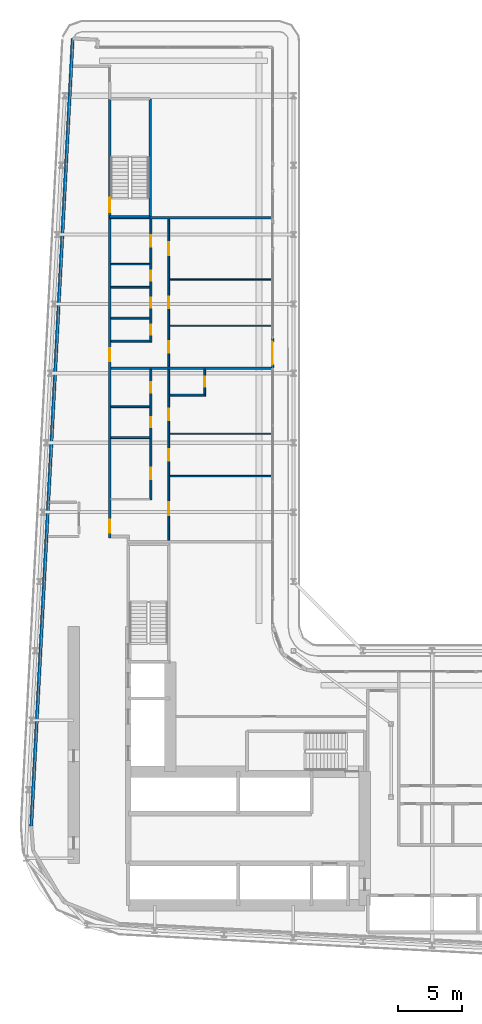
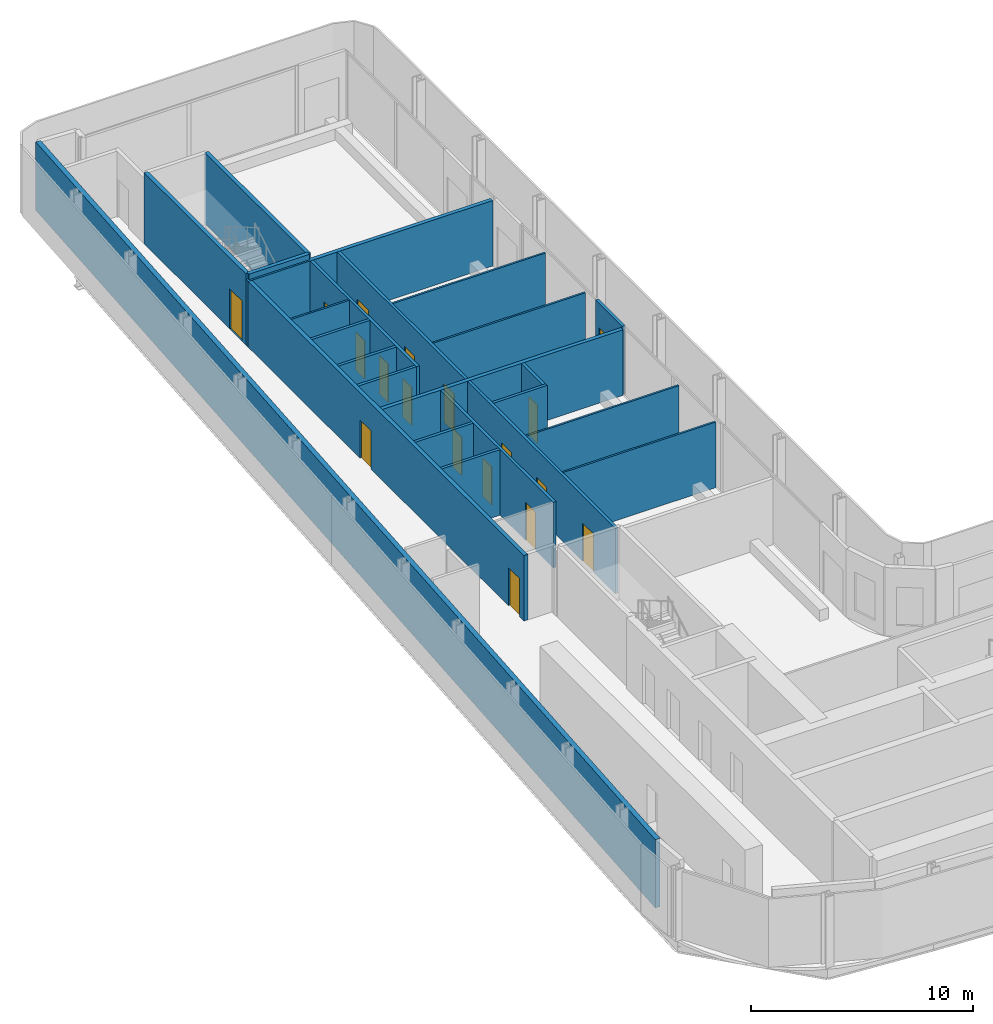
# One storey, part 16 of 26: 24 walls, 18 doors, 18 openings.
"""IFC4 building model written with IfcOpenShell, lengths in metres."""

from ifc_helpers import new_model, si_unit, direction, frame, frame_2d, origin, place, context, subcontext, project, spatial, rectangle, extrude, source, transform, mapped, material, layer, layer_set, type_object, element, fill, save


model = new_model("IFC4")

# Units and contexts
model_context = context("Model", 3, precision=1e-05, world=origin(), true_north=direction((0.0, 1.0)))
body_context = subcontext(model_context, "Body", "Model", "MODEL_VIEW")
ifc_project = project(units=[si_unit("LENGTHUNIT", "METRE"), si_unit("AREAUNIT", "SQUARE_METRE"), si_unit("VOLUMEUNIT", "CUBIC_METRE"), si_unit("PLANEANGLEUNIT", "RADIAN"), si_unit("MASSUNIT", "GRAM", prefix="KILO")], contexts=[model_context])

# Site, building, storey
site_placement = place(None, origin())
site = spatial("IfcSite", under=ifc_project, at=site_placement, CompositionType="ELEMENT")
building_placement = place(site_placement, origin())
building = spatial("IfcBuilding", under=site, at=building_placement, Name="Kheshtan School and Residences Tower", CompositionType="ELEMENT")
storey_placement = place(building_placement, frame((0.0, 0.0, 105.800048828125)))
storey = spatial("IfcBuildingStorey", under=building, at=storey_placement, Name="L24", CompositionType="ELEMENT", Elevation=105.800048828125)

# Wall, openings, doors
ifc_material_1 = material(Name="Gypsum board on steel studs with fire boards", Category="steel")
ifc_layer_1 = layer(ifc_material_1, 0.199951171875)
ifc_layer_set_1 = layer_set([ifc_layer_1], Name="Corridor wall 200")
wall_type_1 = type_object("IfcWallType", Name="Corridor wall 200", PredefinedType="PARTITIONING", material=ifc_layer_set_1)
wall_1_placement = place(storey_placement, frame((33.300048828125, 54.39990234375, 0.0), z_axis=(0.0, 0.0, 1.0), x_axis=(0.0, 1.0, 0.0)))
wall_1 = element("IfcWall", 1, at=wall_1_placement, inside=storey, type_object=wall_type_1, Name="Partition L24-003", PredefinedType="PARTITIONING", context=body_context, shape_type="SweptSolid", body=[
    extrude(rectangle(XDim=24.800048828125, YDim=0.199951171875, at=frame_2d((12.39990234375, 0.0))), origin(), (0.0, 0.0, 1.0), 3.599853515625),
])
opening_1_placement = place(wall_1_placement, frame((0.39990234375, 0.0, 0.0)))
opening_1 = element("IfcOpeningElement", 2, at=opening_1_placement, cuts=wall_1, Name="Opening D23-034", PredefinedType="OPENING", context=body_context, shape_type="SweptSolid", body=[
    extrude(rectangle(XDim=1.0, YDim=2.10009765625, at=frame_2d((0.5, 1.050048828125))), frame((0.0, 0.10986328125, 0.0), z_axis=(0.0, -1.0, 0.0), x_axis=(1.0, 0.0, 0.0)), (0.0, 0.0, 1.0), 0.219970703125),
])
opening_2_placement = place(wall_1_placement, frame((13.75, 0.0, 0.0)))
opening_2 = element("IfcOpeningElement", 3, at=opening_2_placement, cuts=wall_1, Name="Opening D23-041", PredefinedType="OPENING", context=body_context, shape_type="SweptSolid", body=[
    extrude(rectangle(XDim=1.0, YDim=2.10009765625, at=frame_2d((0.5, 1.050048828125))), frame((0.0, 0.10986328125, 0.0), z_axis=(0.0, -1.0, 0.0), x_axis=(1.0, 0.0, 0.0)), (0.0, 0.0, 1.0), 0.219970703125),
])
ifc_material_2 = material(Name="Steel-framed fire-resisting door leaf", Category="steel")
door_type_1 = type_object("IfcDoorType", Name="Fire door FD30S 1000 x 2100", OperationType="SINGLE_SWING_LEFT", PredefinedType="DOOR", material=ifc_material_2)
shared_shape_1 = source(origin(), body_context, "Body", "SweptSolid", [
    extrude(rectangle(XDim=1.0, YDim=2.10009765625, at=frame_2d((0.5, 1.050048828125))), frame((0.0, 0.02490234375, 0.0), z_axis=(0.0, -1.0, 0.0), x_axis=(1.0, 0.0, 0.0)), (0.0, 0.0, 1.0), 0.050048828125),
])
door_1_placement = place(opening_1_placement, origin())
door_1 = element("IfcDoor", 4, at=door_1_placement, inside=storey, type_object=door_type_1, Name="Door D23-034", OperationType="SINGLE_SWING_RIGHT", OverallHeight=2.10009765625, OverallWidth=1.0, PredefinedType="DOOR", context=body_context, shape_type="MappedRepresentation", body=[
    mapped(shared_shape_1, transform((0.0, 0.0, 0.0), x_axis=(1.0, 0.0, 0.0), y_axis=(0.0, 1.0, 0.0), z_axis=(0.0, 0.0, 1.0), scale=1.0)),
])
fill(opening_1, door_1)
door_2_placement = place(opening_2_placement, origin())
door_2 = element("IfcDoor", 5, at=door_2_placement, inside=storey, type_object=door_type_1, Name="Door D23-041", OperationType="SINGLE_SWING_LEFT", OverallHeight=2.10009765625, OverallWidth=1.0, PredefinedType="DOOR", context=body_context, shape_type="MappedRepresentation", body=[
    mapped(shared_shape_1, transform((0.0, 0.0, 0.0), x_axis=(1.0, 0.0, 0.0), y_axis=(0.0, 1.0, 0.0), z_axis=(0.0, 0.0, 1.0), scale=1.0)),
])
fill(opening_2, door_2)

# Wall
ifc_material_3 = material(Name="Concrete C40/50 with ceramic cladding and mineral wool insulation", Category="concrete")
ifc_layer_2 = layer(ifc_material_3, 0.25)
ifc_layer_set_2 = layer_set([ifc_layer_2], Name="External wall 250 ceramic clad")
wall_type_2 = type_object("IfcWallType", Name="External wall 250 ceramic clad", PredefinedType="SOLIDWALL", material=ifc_layer_set_2)
wall_2_placement = place(storey_placement, frame((27.195068359375, 31.968994140625, 0.0), z_axis=(0.0, 0.0, 1.0), x_axis=(0.052555284099, 0.998618016117, 0.0)))
element("IfcWall", 6, at=wall_2_placement, inside=storey, type_object=wall_type_2, Name="External wall L24 16", PredefinedType="SOLIDWALL", context=body_context, shape_type="SweptSolid", body=[
    extrude(rectangle(XDim=61.379638671875, YDim=0.25, at=frame_2d((30.68994140625, 0.0))), origin(), (0.0, 0.0, 1.0), 3.75),
])

# Wall, opening, door
ifc_material_4 = material(Name="Aluminium frame wall with insulated infill", Category="aluminium")
ifc_layer_3 = layer(ifc_material_4, 0.14990234375)
ifc_layer_set_3 = layer_set([ifc_layer_3], Name="Glazing frame wall 150")
wall_type_3 = type_object("IfcWallType", Name="Glazing frame wall 150", PredefinedType="SOLIDWALL", material=ifc_layer_set_3)
wall_3_placement = place(storey_placement, frame((45.97509765625, 69.965087890625, 0.0), z_axis=(0.0, 0.0, 1.0), x_axis=(0.0, -1.0, 0.0)))
wall_3 = element("IfcWall", 7, at=wall_3_placement, inside=storey, type_object=wall_type_3, Name="Balcony door wall L24 4.3", PredefinedType="SOLIDWALL", context=body_context, shape_type="SweptSolid", body=[
    extrude(rectangle(XDim=2.400146484375, YDim=0.14990234375, at=frame_2d((1.2001953125, 0.0))), origin(), (0.0, 0.0, 1.0), 3.75),
])
opening_3_placement = place(wall_3_placement, frame((0.300048828125, 0.0, 0.0)))
opening_3 = element("IfcOpeningElement", 8, at=opening_3_placement, cuts=wall_3, Name="Opening BD", PredefinedType="OPENING", context=body_context, shape_type="SweptSolid", body=[
    extrude(rectangle(XDim=1.800048828125, YDim=2.39990234375, at=frame_2d((0.89990234375, 1.199951171875))), frame((0.0, 0.0849609375, 0.0), z_axis=(0.0, -1.0, 0.0), x_axis=(1.0, 0.0, 0.0)), (0.0, 0.0, 1.0), 0.169921875),
])
ifc_material_5 = material(Name="Clear low-e glass in thermally broken aluminium frame", Category="aluminium")
door_type_2 = type_object("IfcDoorType", Name="Balcony sliding door", OperationType="SLIDING_TO_LEFT", PredefinedType="DOOR", material=ifc_material_5)
shared_shape_2 = source(origin(), body_context, "Body", "SweptSolid", [
    extrude(rectangle(XDim=1.800048828125, YDim=2.39990234375, at=frame_2d((0.89990234375, 1.199951171875))), frame((0.0, 0.02490234375, 0.0), z_axis=(0.0, -1.0, 0.0), x_axis=(1.0, 0.0, 0.0)), (0.0, 0.0, 1.0), 0.050048828125),
])
door_3_placement = place(opening_3_placement, origin())
door_3 = element("IfcDoor", 9, at=door_3_placement, inside=storey, type_object=door_type_2, Name="Balcony door L24 4.3", OperationType="SLIDING_TO_LEFT", OverallHeight=2.39990234375, OverallWidth=1.800048828125, PredefinedType="DOOR", context=body_context, shape_type="MappedRepresentation", body=[
    mapped(shared_shape_2, transform((0.0, 0.0, 0.0), x_axis=(1.0, 0.0, 0.0), y_axis=(0.0, 1.0, 0.0), z_axis=(0.0, 0.0, 1.0), scale=1.0)),
])
fill(opening_3, door_3)

# Walls
ifc_material_6 = material(Name="Gypsum board on steel studs", Category="steel")
ifc_layer_4 = layer(ifc_material_6, 0.10009765625)
ifc_layer_set_4 = layer_set([ifc_layer_4], Name="Gypsum partition 100")
wall_type_4 = type_object("IfcWallType", Name="Gypsum partition 100", PredefinedType="PARTITIONING", material=ifc_layer_set_4)
wall_4_placement = place(storey_placement, frame((33.39990234375, 75.699951171875, 0.0), z_axis=(0.0, 0.0, 1.0), x_axis=(1.0, 0.0, 0.0)))
element("IfcWall", 10, at=wall_4_placement, inside=storey, type_object=wall_type_4, Name="Partition L24-013", PredefinedType="PARTITIONING", context=body_context, shape_type="SweptSolid", body=[
    extrude(rectangle(XDim=3.025146484375, YDim=0.10009765625, at=frame_2d((1.5126953125, 0.0))), origin(), (0.0, 0.0, 1.0), 3.599853515625),
])
for number, where, z_axis, x_axis, name in (
    (11, (37.97509765625, 59.199951171875, 0.0), (0.0, 0.0, 1.0), (1.0, 0.0, 0.0), "Partition L24-020"),
    (12, (37.97509765625, 62.5, 0.0), (0.0, 0.0, 1.0), (1.0, 0.0, 0.0), "Partition L24-021"),
    (13, (37.97509765625, 70.89990234375, 0.0), (0.0, 0.0, 1.0), (1.0, 0.0, 0.0), "Partition L24-023"),
    (14, (37.97509765625, 74.5, 0.0), (0.0, 0.0, 1.0), (1.0, 0.0, 0.0), "Partition L24-024"),
):
    element("IfcWall", number, at=place(storey_placement, frame(where, z_axis=z_axis, x_axis=x_axis)), inside=storey, type_object=wall_type_4, Name=name, PredefinedType="PARTITIONING", context=body_context, shape_type="SweptSolid", body=[
        extrude(rectangle(XDim=7.9248046875, YDim=0.10009765625, at=frame_2d((3.96240234375, 0.0))), origin(), (0.0, 0.0, 1.0), 3.599853515625),
    ])
ifc_material_7 = material(Name="Concrete C40/50", Category="concrete")
ifc_layer_5 = layer(ifc_material_7, 0.199951171875)
ifc_layer_set_5 = layer_set([ifc_layer_5], Name="Stair enclosure wall 200 Concrete C40/50")
wall_type_5 = type_object("IfcWallType", Name="Stair enclosure wall 200 Concrete C40/50", PredefinedType="SHEAR", material=ifc_layer_set_5)
wall_5_placement = place(storey_placement, frame((33.300048828125, 79.39990234375, 0.0), z_axis=(0.0, 0.0, 1.0), x_axis=(1.0, 0.0, 0.0)))
element("IfcWall", 15, at=wall_5_placement, inside=storey, type_object=wall_type_5, Name="Stair enclosure wall ST3", PredefinedType="SHEAR", context=body_context, shape_type="SweptSolid", body=[
    extrude(rectangle(XDim=3.14990234375, YDim=0.199951171875, at=frame_2d((1.574951171875, 0.0))), origin(), (0.0, 0.0, 1.0), 3.89990234375),
])

# Wall, opening, door
wall_6_placement = place(storey_placement, frame((33.300048828125, 79.39990234375, 0.0), z_axis=(0.0, 0.0, 1.0), x_axis=(0.0, 1.0, 0.0)))
wall_6 = element("IfcWall", 16, at=wall_6_placement, inside=storey, type_object=wall_type_5, Name="Stair enclosure wall ST3", PredefinedType="SHEAR", context=body_context, shape_type="SweptSolid", body=[
    extrude(rectangle(XDim=9.16015625, YDim=0.199951171875, at=frame_2d((4.580078125, 0.0))), origin(), (0.0, 0.0, 1.0), 3.89990234375),
])
opening_4_placement = place(wall_6_placement, frame((0.35009765625, 0.0, 0.0)))
opening_4 = element("IfcOpeningElement", 17, at=opening_4_placement, cuts=wall_6, Name="Opening ST3D", PredefinedType="OPENING", context=body_context, shape_type="SweptSolid", body=[
    extrude(rectangle(XDim=1.10009765625, YDim=2.199951171875, at=frame_2d((0.550048828125, 1.10009765625))), frame((0.0, 0.10986328125, 0.0), z_axis=(0.0, -1.0, 0.0), x_axis=(1.0, 0.0, 0.0)), (0.0, 0.0, 1.0), 0.219970703125),
])
ifc_material_8 = material(Name="Steel door leaf, galvanised", Category="steel")
door_type_3 = type_object("IfcDoorType", Name="Stair door 1100 steel 90 min", OperationType="SINGLE_SWING_LEFT", PredefinedType="DOOR", material=ifc_material_8)
shared_shape_3 = source(origin(), body_context, "Body", "SweptSolid", [
    extrude(rectangle(XDim=1.10009765625, YDim=2.199951171875, at=frame_2d((0.550048828125, 1.10009765625))), frame((0.0, 0.02490234375, 0.0), z_axis=(0.0, -1.0, 0.0), x_axis=(1.0, 0.0, 0.0)), (0.0, 0.0, 1.0), 0.050048828125),
])
door_4_placement = place(opening_4_placement, origin())
door_4 = element("IfcDoor", 18, at=door_4_placement, inside=storey, type_object=door_type_3, Name="Stair ST3 door", OperationType="SINGLE_SWING_RIGHT", OverallHeight=2.199951171875, OverallWidth=1.10009765625, PredefinedType="DOOR", context=body_context, shape_type="MappedRepresentation", body=[
    mapped(shared_shape_3, transform((0.0, 0.0, 0.0), x_axis=(1.0, 0.0, 0.0), y_axis=(0.0, 1.0, 0.0), z_axis=(0.0, 0.0, 1.0), scale=1.0)),
])
fill(opening_4, door_4)

# Walls
wall_7_placement = place(storey_placement, frame((36.449951171875, 79.39990234375, 0.0), z_axis=(0.0, 0.0, 1.0), x_axis=(0.0, 1.0, 0.0)))
element("IfcWall", 19, at=wall_7_placement, inside=storey, type_object=wall_type_5, Name="Stair enclosure wall ST3", PredefinedType="SHEAR", context=body_context, shape_type="SweptSolid", body=[
    extrude(rectangle(XDim=9.16015625, YDim=0.199951171875, at=frame_2d((4.580078125, 0.0))), origin(), (0.0, 0.0, 1.0), 3.89990234375),
])
ifc_material_9 = material(Name="Twin gypsum board on steel studs with mineral wool", Category="steel")
ifc_layer_6 = layer(ifc_material_9, 0.199951171875)
ifc_layer_set_6 = layer_set([ifc_layer_6], Name="Unit demising wall 200")
wall_type_6 = type_object("IfcWallType", Name="Unit demising wall 200", PredefinedType="PARTITIONING", material=ifc_layer_set_6)
wall_8_placement = place(storey_placement, frame((33.199951171875, 79.300048828125, 0.0), z_axis=(0.0, 0.0, 1.0), x_axis=(1.0, 0.0, 0.0)))
element("IfcWall", 20, at=wall_8_placement, inside=storey, type_object=wall_type_6, Name="Partition L24-002", PredefinedType="PARTITIONING", context=body_context, shape_type="SweptSolid", body=[
    extrude(rectangle(XDim=12.699951171875, YDim=0.199951171875, at=frame_2d((6.35009765625, 0.0))), origin(), (0.0, 0.0, 1.0), 3.599853515625),
])
wall_9_placement = place(storey_placement, frame((33.39990234375, 67.60009765625, 0.0), z_axis=(0.0, 0.0, 1.0), x_axis=(1.0, 0.0, 0.0)))
element("IfcWall", 21, at=wall_9_placement, inside=storey, type_object=wall_type_6, Name="Partition L24-009", PredefinedType="PARTITIONING", context=body_context, shape_type="SweptSolid", body=[
    extrude(rectangle(XDim=12.5, YDim=0.199951171875, at=frame_2d((6.25, 0.0))), origin(), (0.0, 0.0, 1.0), 3.599853515625),
])
ifc_material_10 = material(Name="Moisture-resistant gypsum board on steel studs", Category="steel")
ifc_layer_7 = layer(ifc_material_10, 0.14990234375)
ifc_layer_set_7 = layer_set([ifc_layer_7], Name="Wet-room partition 150")
wall_type_7 = type_object("IfcWallType", Name="Wet-room partition 150", PredefinedType="PARTITIONING", material=ifc_layer_set_7)
for number, where, z_axis, x_axis, name in (
    (22, (33.39990234375, 62.199951171875, 0.0), (0.0, 0.0, 1.0), (1.0, 0.0, 0.0), "Partition L24-007"),
    (23, (33.39990234375, 64.60009765625, 0.0), (0.0, 0.0, 1.0), (1.0, 0.0, 0.0), "Partition L24-008"),
    (24, (33.39990234375, 69.699951171875, 0.0), (0.0, 0.0, 1.0), (1.0, 0.0, 0.0), "Partition L24-010"),
    (25, (33.39990234375, 71.5, 0.0), (0.0, 0.0, 1.0), (1.0, 0.0, 0.0), "Partition L24-011"),
    (26, (33.39990234375, 73.89990234375, 0.0), (0.0, 0.0, 1.0), (1.0, 0.0, 0.0), "Partition L24-012"),
):
    element("IfcWall", number, at=place(storey_placement, frame(where, z_axis=z_axis, x_axis=x_axis)), inside=storey, type_object=wall_type_7, Name=name, PredefinedType="PARTITIONING", context=body_context, shape_type="SweptSolid", body=[
        extrude(rectangle(XDim=3.025146484375, YDim=0.14990234375, at=frame_2d((1.5126953125, 0.0))), origin(), (0.0, 0.0, 1.0), 3.599853515625),
    ])

# Wall, openings, doors
wall_10_placement = place(storey_placement, frame((36.5, 57.35009765625, 0.0), z_axis=(0.0, 0.0, 1.0), x_axis=(0.0, 1.0, 0.0)))
wall_10 = element("IfcWall", 27, at=wall_10_placement, inside=storey, type_object=wall_type_7, Name="Partition L24-016", PredefinedType="PARTITIONING", context=body_context, shape_type="SweptSolid", body=[
    extrude(rectangle(XDim=10.14990234375, YDim=0.14990234375, at=frame_2d((5.074951171875, 0.0))), origin(), (0.0, 0.0, 1.0), 3.599853515625),
])
opening_5_placement = place(wall_10_placement, frame((8.35009765625, 0.0, 0.0)))
opening_5 = element("IfcOpeningElement", 28, at=opening_5_placement, cuts=wall_10, Name="Opening D23-031", PredefinedType="OPENING", context=body_context, shape_type="SweptSolid", body=[
    extrude(rectangle(XDim=0.800048828125, YDim=2.10009765625, at=frame_2d((0.39990234375, 1.050048828125))), frame((0.0, 0.0849609375, 0.0), z_axis=(0.0, -1.0, 0.0), x_axis=(1.0, 0.0, 0.0)), (0.0, 0.0, 1.0), 0.169921875),
])
opening_6_placement = place(wall_10_placement, frame((1.60009765625, 0.0, 0.0)))
opening_6 = element("IfcOpeningElement", 29, at=opening_6_placement, cuts=wall_10, Name="Opening D23-035", PredefinedType="OPENING", context=body_context, shape_type="SweptSolid", body=[
    extrude(rectangle(XDim=0.89990234375, YDim=2.10009765625, at=frame_2d((0.449951171875, 1.050048828125))), frame((0.0, 0.0849609375, 0.0), z_axis=(0.0, -1.0, 0.0), x_axis=(1.0, 0.0, 0.0)), (0.0, 0.0, 1.0), 0.169921875),
])
opening_7_placement = place(wall_10_placement, frame((5.64990234375, 0.0, 0.0)))
opening_7 = element("IfcOpeningElement", 30, at=opening_7_placement, cuts=wall_10, Name="Opening D23-038", PredefinedType="OPENING", context=body_context, shape_type="SweptSolid", body=[
    extrude(rectangle(XDim=0.800048828125, YDim=2.10009765625, at=frame_2d((0.39990234375, 1.050048828125))), frame((0.0, 0.0849609375, 0.0), z_axis=(0.0, -1.0, 0.0), x_axis=(1.0, 0.0, 0.0)), (0.0, 0.0, 1.0), 0.169921875),
])
ifc_material_11 = material(Name="Veneered timber door leaf", Category="wood")
door_type_4 = type_object("IfcDoorType", Name="Door 800 x 2100", OperationType="SINGLE_SWING_LEFT", PredefinedType="DOOR", material=ifc_material_11)
shared_shape_4 = source(origin(), body_context, "Body", "SweptSolid", [
    extrude(rectangle(XDim=0.800048828125, YDim=2.10009765625, at=frame_2d((0.39990234375, 1.050048828125))), frame((0.0, 0.02490234375, 0.0), z_axis=(0.0, -1.0, 0.0), x_axis=(1.0, 0.0, 0.0)), (0.0, 0.0, 1.0), 0.050048828125),
])
door_5_placement = place(opening_5_placement, origin())
door_5 = element("IfcDoor", 31, at=door_5_placement, inside=storey, type_object=door_type_4, Name="Door D23-031", OperationType="SINGLE_SWING_RIGHT", OverallHeight=2.10009765625, OverallWidth=0.800048828125, PredefinedType="DOOR", context=body_context, shape_type="MappedRepresentation", body=[
    mapped(shared_shape_4, transform((0.0, 0.0, 0.0), x_axis=(1.0, 0.0, 0.0), y_axis=(0.0, 1.0, 0.0), z_axis=(0.0, 0.0, 1.0), scale=1.0)),
])
fill(opening_5, door_5)
door_6_placement = place(opening_7_placement, origin())
door_6 = element("IfcDoor", 32, at=door_6_placement, inside=storey, type_object=door_type_4, Name="Door D23-038", OperationType="SINGLE_SWING_RIGHT", OverallHeight=2.10009765625, OverallWidth=0.800048828125, PredefinedType="DOOR", context=body_context, shape_type="MappedRepresentation", body=[
    mapped(shared_shape_4, transform((0.0, 0.0, 0.0), x_axis=(1.0, 0.0, 0.0), y_axis=(0.0, 1.0, 0.0), z_axis=(0.0, 0.0, 1.0), scale=1.0)),
])
fill(opening_7, door_6)
door_type_5 = type_object("IfcDoorType", Name="Door 900 x 2100", OperationType="SINGLE_SWING_LEFT", PredefinedType="DOOR", material=ifc_material_11)
shared_shape_5 = source(origin(), body_context, "Body", "SweptSolid", [
    extrude(rectangle(XDim=0.89990234375, YDim=2.10009765625, at=frame_2d((0.449951171875, 1.050048828125))), frame((0.0, 0.02490234375, 0.0), z_axis=(0.0, -1.0, 0.0), x_axis=(1.0, 0.0, 0.0)), (0.0, 0.0, 1.0), 0.050048828125),
])
door_7_placement = place(opening_6_placement, origin())
door_7 = element("IfcDoor", 33, at=door_7_placement, inside=storey, type_object=door_type_5, Name="Door D23-035", OperationType="SINGLE_SWING_RIGHT", OverallHeight=2.10009765625, OverallWidth=0.89990234375, PredefinedType="DOOR", context=body_context, shape_type="MappedRepresentation", body=[
    mapped(shared_shape_5, transform((0.0, 0.0, 0.0), x_axis=(1.0, 0.0, 0.0), y_axis=(0.0, 1.0, 0.0), z_axis=(0.0, 0.0, 1.0), scale=1.0)),
])
fill(opening_6, door_7)

wall_11_placement = place(storey_placement, frame((36.5, 69.625, 0.0), z_axis=(0.0, 0.0, 1.0), x_axis=(0.0, 1.0, 0.0)))
wall_11 = element("IfcWall", 34, at=wall_11_placement, inside=storey, type_object=wall_type_7, Name="Partition L24-017", PredefinedType="PARTITIONING", context=body_context, shape_type="SweptSolid", body=[
    extrude(rectangle(XDim=9.574951171875, YDim=0.14990234375, at=frame_2d((4.78759765625, 0.0))), origin(), (0.0, 0.0, 1.0), 3.599853515625),
])
opening_8_placement = place(wall_11_placement, frame((2.675048828125, 0.0, 0.0)))
opening_8 = element("IfcOpeningElement", 35, at=opening_8_placement, cuts=wall_11, Name="Opening D23-039", PredefinedType="OPENING", context=body_context, shape_type="SweptSolid", body=[
    extrude(rectangle(XDim=0.800048828125, YDim=2.10009765625, at=frame_2d((0.39990234375, 1.050048828125))), frame((0.0, 0.0849609375, 0.0), z_axis=(0.0, -1.0, 0.0), x_axis=(1.0, 0.0, 0.0)), (0.0, 0.0, 1.0), 0.169921875),
])
opening_9_placement = place(wall_11_placement, frame((7.425048828125, 0.0, 0.0)))
opening_9 = element("IfcOpeningElement", 36, at=opening_9_placement, cuts=wall_11, Name="Opening D23-042", PredefinedType="OPENING", context=body_context, shape_type="SweptSolid", body=[
    extrude(rectangle(XDim=0.89990234375, YDim=2.10009765625, at=frame_2d((0.449951171875, 1.050048828125))), frame((0.0, 0.0849609375, 0.0), z_axis=(0.0, -1.0, 0.0), x_axis=(1.0, 0.0, 0.0)), (0.0, 0.0, 1.0), 0.169921875),
])
opening_10_placement = place(wall_11_placement, frame((4.77490234375, 0.0, 0.0)))
opening_10 = element("IfcOpeningElement", 37, at=opening_10_placement, cuts=wall_11, Name="Opening D23-045", PredefinedType="OPENING", context=body_context, shape_type="SweptSolid", body=[
    extrude(rectangle(XDim=0.800048828125, YDim=2.10009765625, at=frame_2d((0.39990234375, 1.050048828125))), frame((0.0, 0.0849609375, 0.0), z_axis=(0.0, -1.0, 0.0), x_axis=(1.0, 0.0, 0.0)), (0.0, 0.0, 1.0), 0.169921875),
])
opening_11_placement = place(wall_11_placement, frame((0.574951171875, 0.0, 0.0)))
opening_11 = element("IfcOpeningElement", 38, at=opening_11_placement, cuts=wall_11, Name="Opening D23-046", PredefinedType="OPENING", context=body_context, shape_type="SweptSolid", body=[
    extrude(rectangle(XDim=0.800048828125, YDim=2.10009765625, at=frame_2d((0.39990234375, 1.050048828125))), frame((0.0, 0.0849609375, 0.0), z_axis=(0.0, -1.0, 0.0), x_axis=(1.0, 0.0, 0.0)), (0.0, 0.0, 1.0), 0.169921875),
])
door_8_placement = place(opening_8_placement, origin())
door_8 = element("IfcDoor", 39, at=door_8_placement, inside=storey, type_object=door_type_4, Name="Door D23-039", OperationType="SINGLE_SWING_LEFT", OverallHeight=2.10009765625, OverallWidth=0.800048828125, PredefinedType="DOOR", context=body_context, shape_type="MappedRepresentation", body=[
    mapped(shared_shape_4, transform((0.0, 0.0, 0.0), x_axis=(1.0, 0.0, 0.0), y_axis=(0.0, 1.0, 0.0), z_axis=(0.0, 0.0, 1.0), scale=1.0)),
])
fill(opening_8, door_8)
door_9_placement = place(opening_10_placement, origin())
door_9 = element("IfcDoor", 40, at=door_9_placement, inside=storey, type_object=door_type_4, Name="Door D23-045", OperationType="SINGLE_SWING_RIGHT", OverallHeight=2.10009765625, OverallWidth=0.800048828125, PredefinedType="DOOR", context=body_context, shape_type="MappedRepresentation", body=[
    mapped(shared_shape_4, transform((0.0, 0.0, 0.0), x_axis=(1.0, 0.0, 0.0), y_axis=(0.0, 1.0, 0.0), z_axis=(0.0, 0.0, 1.0), scale=1.0)),
])
fill(opening_10, door_9)
door_10_placement = place(opening_11_placement, origin())
door_10 = element("IfcDoor", 41, at=door_10_placement, inside=storey, type_object=door_type_4, Name="Door D23-046", OperationType="SINGLE_SWING_RIGHT", OverallHeight=2.10009765625, OverallWidth=0.800048828125, PredefinedType="DOOR", context=body_context, shape_type="MappedRepresentation", body=[
    mapped(shared_shape_4, transform((0.0, 0.0, 0.0), x_axis=(1.0, 0.0, 0.0), y_axis=(0.0, 1.0, 0.0), z_axis=(0.0, 0.0, 1.0), scale=1.0)),
])
fill(opening_11, door_10)
door_11_placement = place(opening_9_placement, origin())
door_11 = element("IfcDoor", 42, at=door_11_placement, inside=storey, type_object=door_type_5, Name="Door D23-042", OperationType="SINGLE_SWING_RIGHT", OverallHeight=2.10009765625, OverallWidth=0.89990234375, PredefinedType="DOOR", context=body_context, shape_type="MappedRepresentation", body=[
    mapped(shared_shape_5, transform((0.0, 0.0, 0.0), x_axis=(1.0, 0.0, 0.0), y_axis=(0.0, 1.0, 0.0), z_axis=(0.0, 0.0, 1.0), scale=1.0)),
])
fill(opening_9, door_11)

wall_12_placement = place(storey_placement, frame((37.89990234375, 54.199951171875, 0.0), z_axis=(0.0, 0.0, 1.0), x_axis=(0.0, 1.0, 0.0)))
wall_12 = element("IfcWall", 43, at=wall_12_placement, inside=storey, type_object=wall_type_7, Name="Partition L24-018", PredefinedType="PARTITIONING", context=body_context, shape_type="SweptSolid", body=[
    extrude(rectangle(XDim=13.300048828125, YDim=0.14990234375, at=frame_2d((6.64990234375, 0.0))), origin(), (0.0, 0.0, 1.0), 3.599853515625),
])
opening_12_placement = place(wall_12_placement, frame((6.199951171875, 0.0, 0.0)))
opening_12 = element("IfcOpeningElement", 44, at=opening_12_placement, cuts=wall_12, Name="Opening D23-032", PredefinedType="OPENING", context=body_context, shape_type="SweptSolid", body=[
    extrude(rectangle(XDim=0.89990234375, YDim=2.10009765625, at=frame_2d((0.449951171875, 1.050048828125))), frame((0.0, 0.0849609375, 0.0), z_axis=(0.0, -1.0, 0.0), x_axis=(1.0, 0.0, 0.0)), (0.0, 0.0, 1.0), 0.169921875),
])
opening_13_placement = place(wall_12_placement, frame((1.949951171875, 0.0, 0.0)))
opening_13 = element("IfcOpeningElement", 45, at=opening_13_placement, cuts=wall_12, Name="Opening D23-036", PredefinedType="OPENING", context=body_context, shape_type="SweptSolid", body=[
    extrude(rectangle(XDim=1.0, YDim=2.10009765625, at=frame_2d((0.5, 1.050048828125))), frame((0.0, 0.0849609375, 0.0), z_axis=(0.0, -1.0, 0.0), x_axis=(1.0, 0.0, 0.0)), (0.0, 0.0, 1.0), 0.169921875),
])
opening_14_placement = place(wall_12_placement, frame((9.35009765625, 0.0, 0.0)))
opening_14 = element("IfcOpeningElement", 46, at=opening_14_placement, cuts=wall_12, Name="Opening D23-037", PredefinedType="OPENING", context=body_context, shape_type="SweptSolid", body=[
    extrude(rectangle(XDim=0.89990234375, YDim=2.10009765625, at=frame_2d((0.449951171875, 1.050048828125))), frame((0.0, 0.0849609375, 0.0), z_axis=(0.0, -1.0, 0.0), x_axis=(1.0, 0.0, 0.0)), (0.0, 0.0, 1.0), 0.169921875),
])
door_type_6 = type_object("IfcDoorType", Name="Door 1000 x 2100", OperationType="SINGLE_SWING_LEFT", PredefinedType="DOOR", material=ifc_material_11)
shared_shape_6 = source(origin(), body_context, "Body", "SweptSolid", [
    extrude(rectangle(XDim=1.0, YDim=2.10009765625, at=frame_2d((0.5, 1.050048828125))), frame((0.0, 0.02490234375, 0.0), z_axis=(0.0, -1.0, 0.0), x_axis=(1.0, 0.0, 0.0)), (0.0, 0.0, 1.0), 0.050048828125),
])
door_12_placement = place(opening_13_placement, origin())
door_12 = element("IfcDoor", 47, at=door_12_placement, inside=storey, type_object=door_type_6, Name="Door D23-036", OperationType="SINGLE_SWING_RIGHT", OverallHeight=2.10009765625, OverallWidth=1.0, PredefinedType="DOOR", context=body_context, shape_type="MappedRepresentation", body=[
    mapped(shared_shape_6, transform((0.0, 0.0, 0.0), x_axis=(1.0, 0.0, 0.0), y_axis=(0.0, 1.0, 0.0), z_axis=(0.0, 0.0, 1.0), scale=1.0)),
])
fill(opening_13, door_12)
door_13_placement = place(opening_12_placement, origin())
door_13 = element("IfcDoor", 48, at=door_13_placement, inside=storey, type_object=door_type_5, Name="Door D23-032", OperationType="SINGLE_SWING_LEFT", OverallHeight=2.10009765625, OverallWidth=0.89990234375, PredefinedType="DOOR", context=body_context, shape_type="MappedRepresentation", body=[
    mapped(shared_shape_5, transform((0.0, 0.0, 0.0), x_axis=(1.0, 0.0, 0.0), y_axis=(0.0, 1.0, 0.0), z_axis=(0.0, 0.0, 1.0), scale=1.0)),
])
fill(opening_12, door_13)
door_14_placement = place(opening_14_placement, origin())
door_14 = element("IfcDoor", 49, at=door_14_placement, inside=storey, type_object=door_type_5, Name="Door D23-037", OperationType="SINGLE_SWING_RIGHT", OverallHeight=2.10009765625, OverallWidth=0.89990234375, PredefinedType="DOOR", context=body_context, shape_type="MappedRepresentation", body=[
    mapped(shared_shape_5, transform((0.0, 0.0, 0.0), x_axis=(1.0, 0.0, 0.0), y_axis=(0.0, 1.0, 0.0), z_axis=(0.0, 0.0, 1.0), scale=1.0)),
])
fill(opening_14, door_14)

wall_13_placement = place(storey_placement, frame((37.89990234375, 67.699951171875, 0.0), z_axis=(0.0, 0.0, 1.0), x_axis=(0.0, 1.0, 0.0)))
wall_13 = element("IfcWall", 50, at=wall_13_placement, inside=storey, type_object=wall_type_7, Name="Partition L24-019", PredefinedType="PARTITIONING", context=body_context, shape_type="SweptSolid", body=[
    extrude(rectangle(XDim=11.5, YDim=0.14990234375, at=frame_2d((5.75, 0.0))), origin(), (0.0, 0.0, 1.0), 3.599853515625),
])
opening_15_placement = place(wall_13_placement, frame((4.550048828125, 0.0, 0.0)))
opening_15 = element("IfcOpeningElement", 51, at=opening_15_placement, cuts=wall_13, Name="Opening D23-040", PredefinedType="OPENING", context=body_context, shape_type="SweptSolid", body=[
    extrude(rectangle(XDim=0.89990234375, YDim=2.10009765625, at=frame_2d((0.449951171875, 1.050048828125))), frame((0.0, 0.0849609375, 0.0), z_axis=(0.0, -1.0, 0.0), x_axis=(1.0, 0.0, 0.0)), (0.0, 0.0, 1.0), 0.169921875),
])
opening_16_placement = place(wall_13_placement, frame((8.699951171875, 0.0, 0.0)))
opening_16 = element("IfcOpeningElement", 52, at=opening_16_placement, cuts=wall_13, Name="Opening D23-043", PredefinedType="OPENING", context=body_context, shape_type="SweptSolid", body=[
    extrude(rectangle(XDim=1.0, YDim=2.10009765625, at=frame_2d((0.5, 1.050048828125))), frame((0.0, 0.0849609375, 0.0), z_axis=(0.0, -1.0, 0.0), x_axis=(1.0, 0.0, 0.0)), (0.0, 0.0, 1.0), 0.169921875),
])
opening_17_placement = place(wall_13_placement, frame((1.10009765625, 0.0, 0.0)))
opening_17 = element("IfcOpeningElement", 53, at=opening_17_placement, cuts=wall_13, Name="Opening D23-044", PredefinedType="OPENING", context=body_context, shape_type="SweptSolid", body=[
    extrude(rectangle(XDim=0.89990234375, YDim=2.10009765625, at=frame_2d((0.449951171875, 1.050048828125))), frame((0.0, 0.0849609375, 0.0), z_axis=(0.0, -1.0, 0.0), x_axis=(1.0, 0.0, 0.0)), (0.0, 0.0, 1.0), 0.169921875),
])
door_15_placement = place(opening_16_placement, origin())
door_15 = element("IfcDoor", 54, at=door_15_placement, inside=storey, type_object=door_type_6, Name="Door D23-043", OperationType="SINGLE_SWING_LEFT", OverallHeight=2.10009765625, OverallWidth=1.0, PredefinedType="DOOR", context=body_context, shape_type="MappedRepresentation", body=[
    mapped(shared_shape_6, transform((0.0, 0.0, 0.0), x_axis=(1.0, 0.0, 0.0), y_axis=(0.0, 1.0, 0.0), z_axis=(0.0, 0.0, 1.0), scale=1.0)),
])
fill(opening_16, door_15)
door_16_placement = place(opening_15_placement, origin())
door_16 = element("IfcDoor", 55, at=door_16_placement, inside=storey, type_object=door_type_5, Name="Door D23-040", OperationType="SINGLE_SWING_RIGHT", OverallHeight=2.10009765625, OverallWidth=0.89990234375, PredefinedType="DOOR", context=body_context, shape_type="MappedRepresentation", body=[
    mapped(shared_shape_5, transform((0.0, 0.0, 0.0), x_axis=(1.0, 0.0, 0.0), y_axis=(0.0, 1.0, 0.0), z_axis=(0.0, 0.0, 1.0), scale=1.0)),
])
fill(opening_15, door_16)
door_17_placement = place(opening_17_placement, origin())
door_17 = element("IfcDoor", 56, at=door_17_placement, inside=storey, type_object=door_type_5, Name="Door D23-044", OperationType="SINGLE_SWING_LEFT", OverallHeight=2.10009765625, OverallWidth=0.89990234375, PredefinedType="DOOR", context=body_context, shape_type="MappedRepresentation", body=[
    mapped(shared_shape_5, transform((0.0, 0.0, 0.0), x_axis=(1.0, 0.0, 0.0), y_axis=(0.0, 1.0, 0.0), z_axis=(0.0, 0.0, 1.0), scale=1.0)),
])
fill(opening_17, door_17)

# Wall
wall_14_placement = place(storey_placement, frame((37.97509765625, 65.5, 0.0), z_axis=(0.0, 0.0, 1.0), x_axis=(1.0, 0.0, 0.0)))
element("IfcWall", 57, at=wall_14_placement, inside=storey, type_object=wall_type_7, Name="Partition L24-022", PredefinedType="PARTITIONING", context=body_context, shape_type="SweptSolid", body=[
    extrude(rectangle(XDim=2.7998046875, YDim=0.14990234375, at=frame_2d((1.39990234375, 0.0))), origin(), (0.0, 0.0, 1.0), 3.599853515625),
])

# Wall, opening, door
wall_15_placement = place(storey_placement, frame((40.699951171875, 65.574951171875, 0.0), z_axis=(0.0, 0.0, 1.0), x_axis=(0.0, 1.0, 0.0)))
wall_15 = element("IfcWall", 58, at=wall_15_placement, inside=storey, type_object=wall_type_7, Name="Partition L24-026", PredefinedType="PARTITIONING", context=body_context, shape_type="SweptSolid", body=[
    extrude(rectangle(XDim=1.925048828125, YDim=0.14990234375, at=frame_2d((0.96240234375, 0.0))), origin(), (0.0, 0.0, 1.0), 3.599853515625),
])
opening_18_placement = place(wall_15_placement, frame((0.574951171875, 0.0, 0.0)))
opening_18 = element("IfcOpeningElement", 59, at=opening_18_placement, cuts=wall_15, Name="Opening D23-033", PredefinedType="OPENING", context=body_context, shape_type="SweptSolid", body=[
    extrude(rectangle(XDim=0.800048828125, YDim=2.10009765625, at=frame_2d((0.39990234375, 1.050048828125))), frame((0.0, 0.0849609375, 0.0), z_axis=(0.0, -1.0, 0.0), x_axis=(1.0, 0.0, 0.0)), (0.0, 0.0, 1.0), 0.169921875),
])
door_18_placement = place(opening_18_placement, origin())
door_18 = element("IfcDoor", 60, at=door_18_placement, inside=storey, type_object=door_type_4, Name="Door D23-033", OperationType="SINGLE_SWING_RIGHT", OverallHeight=2.10009765625, OverallWidth=0.800048828125, PredefinedType="DOOR", context=body_context, shape_type="MappedRepresentation", body=[
    mapped(shared_shape_4, transform((0.0, 0.0, 0.0), x_axis=(1.0, 0.0, 0.0), y_axis=(0.0, 1.0, 0.0), z_axis=(0.0, 0.0, 1.0), scale=1.0)),
])
fill(opening_18, door_18)

save(model, "model.ifc")
